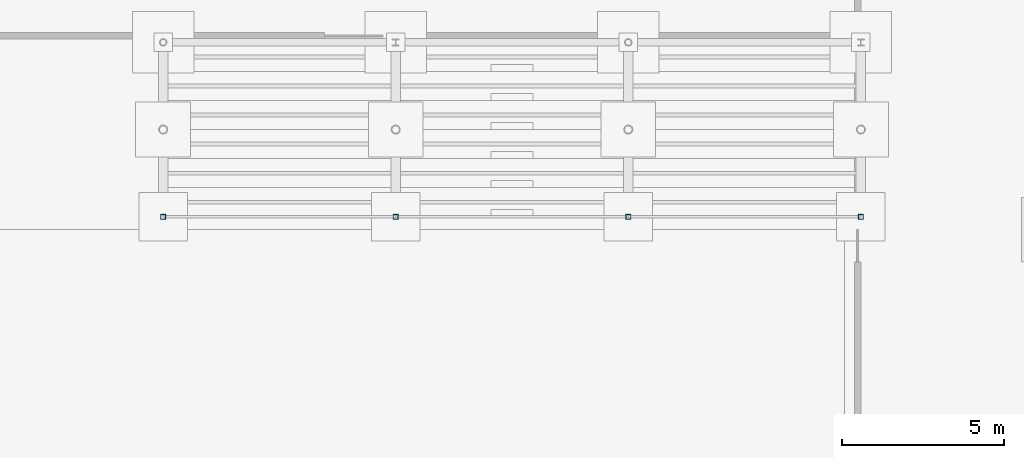
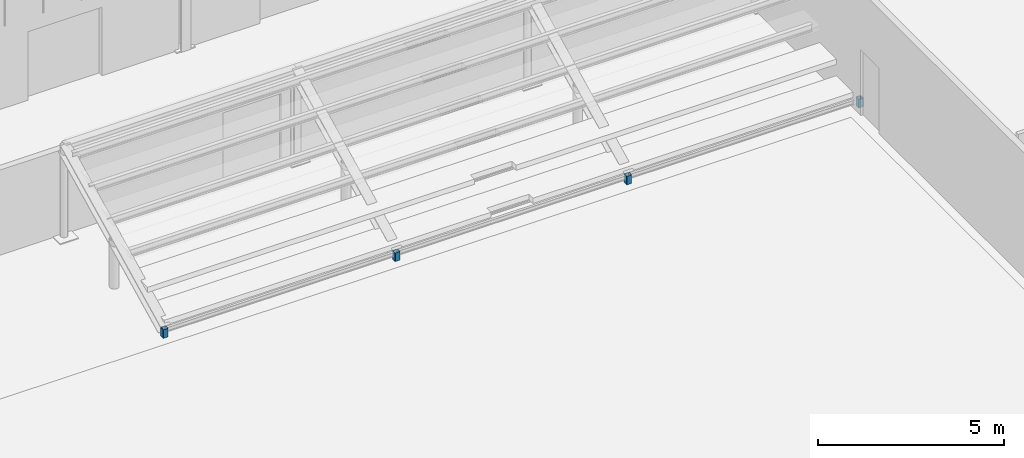
# One storey, part 29 of 101: 4 columns.
"""IFC4 building model written with IfcOpenShell, lengths in metres."""

from ifc_helpers import new_model, si_unit, derived_unit, direction, frame, origin, origin_2d, place, context, subcontext, project, spatial, hollow_rectangle, extrude, material, material_profile, profile_set, type_object, element, save


model = new_model("IFC4")

# Units and contexts
model_context = context("Model", 3, precision=1e-05, world=origin(), true_north=direction((0.0, 1.0)))
body_context = subcontext(model_context, "Body", "Model", "MODEL_VIEW")
ifc_project = project(units=[si_unit("LENGTHUNIT", "METRE"), si_unit("AREAUNIT", "SQUARE_METRE"), si_unit("VOLUMEUNIT", "CUBIC_METRE"), si_unit("PLANEANGLEUNIT", "RADIAN"), si_unit("MASSUNIT", "GRAM", prefix="KILO"), derived_unit("THERMALTRANSMITTANCEUNIT", [(si_unit("POWERUNIT", "WATT"), 1), (si_unit("LENGTHUNIT", "METRE"), -2), (si_unit("THERMODYNAMICTEMPERATUREUNIT", "KELVIN"), -1)])], contexts=[model_context])

# Site, building, storey
site_placement = place(None, origin())
site = spatial("IfcSite", under=ifc_project, at=site_placement, CompositionType="ELEMENT")
building_placement = place(site_placement, origin())
building = spatial("IfcBuilding", under=site, at=building_placement, Name="Keldorne Ridge Multi-Sports Centre", CompositionType="ELEMENT")
storey_placement = place(building_placement, origin())
storey = spatial("IfcBuildingStorey", under=building, at=storey_placement, Name="L00", CompositionType="ELEMENT", Elevation=0.0)

# Columns
ifc_material = material(Name="Steel S355", Category="steel")
ifc_material_profile = material_profile(ifc_material, hollow_rectangle(XDim=0.159912109375, YDim=0.159912109375, WallThickness=0.010009765625, InnerFilletRadius=0.010009765625, OuterFilletRadius=0.02001953125, at=origin_2d()), Name="SHS 160x160x10")
ifc_profile_set = profile_set([ifc_material_profile], Name="Steel S355")
column_type = type_object("IfcColumnType", Name="COL-C-40", PredefinedType="COLUMN", material=ifc_profile_set)
for number, where, z_axis, x_axis, name in (
    (1, (49.199951171875, 42.39990234375, 0.0), (0.0, 0.0, 1.0), (1.0, 0.0, 0.0), "Structural column V1-STDFRT-NORTH-05 on L00"),
    (2, (56.39990234375, 42.39990234375, 0.0), (0.0, 0.0, 1.0), (1.0, 0.0, 0.0), "Structural column V1-STDFRT-NORTH-06 on L00"),
    (3, (63.60009765625, 42.39990234375, 0.0), (0.0, 0.0, 1.0), (1.0, 0.0, 0.0), "Structural column V1-STDFRT-NORTH-07 on L00"),
    (4, (70.800048828125, 42.39990234375, 0.0), (0.0, 0.0, 1.0), (1.0, 0.0, 0.0), "Structural column V1-STDFRT-NORTH-08 on L00"),
):
    element("IfcColumn", number, at=place(storey_placement, frame(where, z_axis=z_axis, x_axis=x_axis)), inside=storey, type_object=column_type, Name=name, PredefinedType="COLUMN", context=body_context, shape_type="SweptSolid", body=[
        extrude(hollow_rectangle(XDim=0.159912109375, YDim=0.159912109375, WallThickness=0.010009765625, InnerFilletRadius=0.010009765625, OuterFilletRadius=0.02001953125, at=origin_2d()), origin(), (0.0, 0.0, 1.0), 0.280029296875),
    ])

save(model, "model.ifc")
